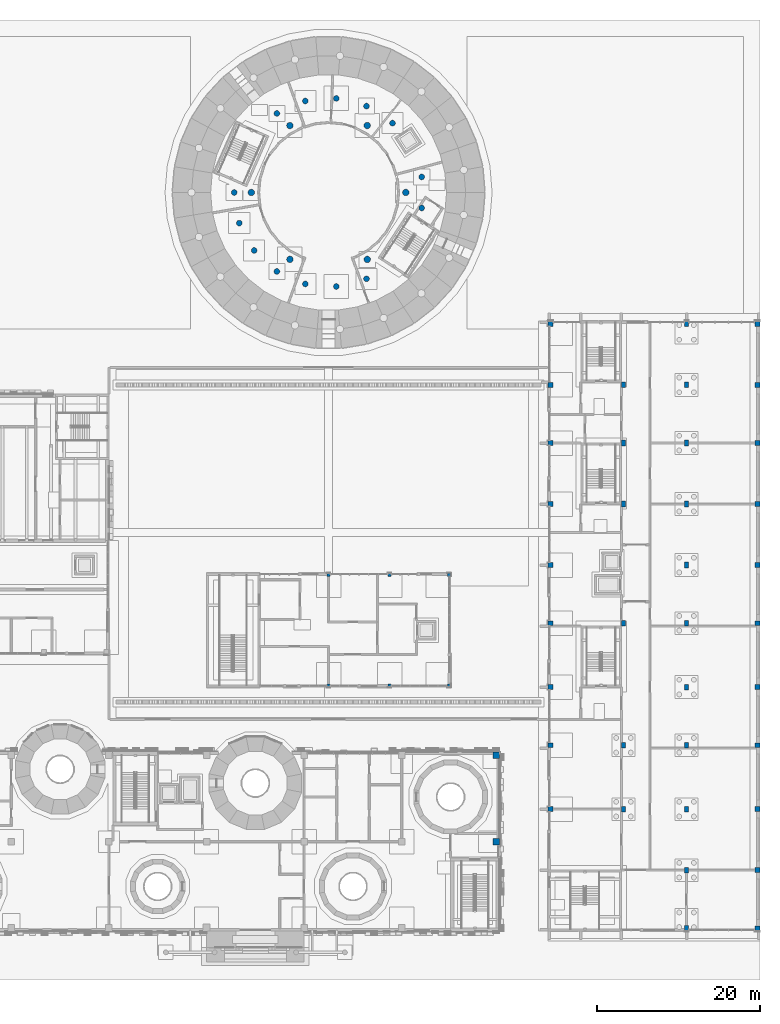
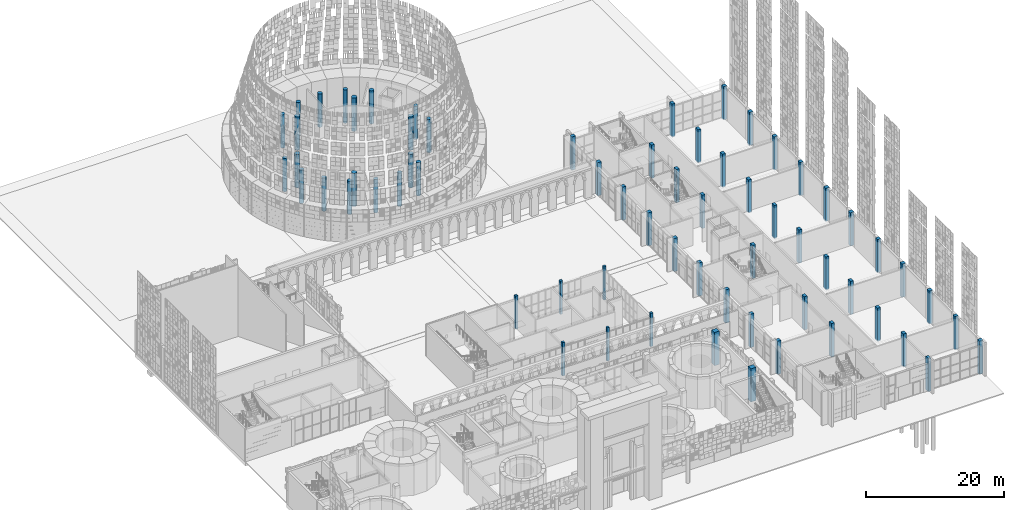
# One storey, part 3 of 125: 65 columns.
"""IFC4 building model written with IfcOpenShell, lengths in metres."""

from ifc_helpers import new_model, si_unit, direction, frame, origin, origin_2d, place, context, subcontext, project, spatial, rectangle, circle, extrude, material, material_profile, profile_set, type_object, element, save


model = new_model("IFC4")

# Units and contexts
model_context = context("Model", 3, precision=1e-05, world=origin(), true_north=direction((0.0, 1.0)))
body_context = subcontext(model_context, "Body", "Model", "MODEL_VIEW")
ifc_project = project(units=[si_unit("LENGTHUNIT", "METRE"), si_unit("AREAUNIT", "SQUARE_METRE"), si_unit("VOLUMEUNIT", "CUBIC_METRE"), si_unit("PLANEANGLEUNIT", "RADIAN"), si_unit("MASSUNIT", "GRAM", prefix="KILO")], contexts=[model_context])

# Site, building, storey
site_placement = place(None, origin())
site = spatial("IfcSite", under=ifc_project, at=site_placement, CompositionType="ELEMENT")
building_placement = place(site_placement, origin())
building = spatial("IfcBuilding", under=site, at=building_placement, Name="Sun Court Science Centre", CompositionType="ELEMENT")
storey_placement = place(building_placement, origin())
storey = spatial("IfcBuildingStorey", under=building, at=storey_placement, Name="L00", CompositionType="ELEMENT", Elevation=0.0)

# Columns
ifc_material_1 = material(Name="Concrete C30/37", Category="concrete")
ifc_material_profile_1 = material_profile(ifc_material_1, rectangle(XDim=0.39990234375, YDim=0.39990234375, at=origin_2d()), Name="RC 400x400")
ifc_profile_set_1 = profile_set([ifc_material_profile_1], Name="Concrete C30/37")
column_type_1 = type_object("IfcColumnType", Name="RC column 400x400", PredefinedType="COLUMN", material=ifc_profile_set_1)
for number, where, z_axis, x_axis, name in (
    (1, (51.0, 36.199951171875, -0.199951171875), (0.0, 0.0, 1.0), (1.0, 0.0, 0.0), "Column 7G L00"),
    (2, (51.0, 49.800048828125, -0.199951171875), (0.0, 0.0, 1.0), (1.0, 0.0, 0.0), "Column 750 L00"),
    (3, (58.5, 36.199951171875, -0.199951171875), (0.0, 0.0, 1.0), (1.0, 0.0, 0.0), "Column 8G L00"),
    (4, (58.5, 49.800048828125, -0.199951171875), (0.0, 0.0, 1.0), (1.0, 0.0, 0.0), "Column 850 L00"),
    (5, (65.800048828125, 36.199951171875, -0.199951171875), (0.0, 0.0, 1.0), (1.0, 0.0, 0.0), "Column 10G L00"),
    (6, (65.800048828125, 49.800048828125, -0.199951171875), (0.0, 0.0, 1.0), (1.0, 0.0, 0.0), "Column 1050 L00"),
):
    element("IfcColumn", number, at=place(storey_placement, frame(where, z_axis=z_axis, x_axis=x_axis)), inside=storey, type_object=column_type_1, Name=name, PredefinedType="COLUMN", context=body_context, shape_type="SweptSolid", body=[
        extrude(rectangle(XDim=0.39990234375, YDim=0.39990234375, at=origin_2d()), origin(), (0.0, 0.0, 1.0), 5.89990234375),
    ])
ifc_material_2 = material(Name="Concrete C30/37", Category="concrete")
ifc_material_profile_2 = material_profile(ifc_material_2, rectangle(XDim=0.5, YDim=0.699951171875, at=origin_2d()), Name="RC 500x700")
ifc_profile_set_2 = profile_set([ifc_material_profile_2], Name="Concrete C30/37")
column_type_2 = type_object("IfcColumnType", Name="RC column 500x700", PredefinedType="COLUMN", material=ifc_profile_set_2)
for number, where, z_axis, x_axis, name in (
    (7, (87.25, 21.0, -0.199951171875), (0.0, 0.0, 1.0), (1.0, 0.0, 0.0), "Column 14D L00"),
    (8, (87.25, 28.85009765625, -0.199951171875), (0.0, 0.0, 1.0), (1.0, 0.0, 0.0), "Column 14F L00"),
    (9, (87.25, 43.85009765625, -0.199951171875), (0.0, 0.0, 1.0), (1.0, 0.0, 0.0), "Column 14J L00"),
    (10, (87.25, 58.5, -0.199951171875), (0.0, 0.0, 1.0), (1.0, 0.0, 0.0), "Column 14P L00"),
    (11, (87.25, 66.0, -0.199951171875), (0.0, 0.0, 1.0), (1.0, 0.0, 0.0), "Column 14R L00"),
    (12, (87.25, 73.14990234375, -0.199951171875), (0.0, 0.0, 1.0), (1.0, 0.0, 0.0), "Column 14U L00"),
    (13, (95.0, 6.35009765625, -0.199951171875), (0.0, 0.0, 1.0), (1.0, 0.0, 0.0), "Column 15A L00"),
    (14, (95.0, 13.5, -0.199951171875), (0.0, 0.0, 1.0), (1.0, 0.0, 0.0), "Column 15B L00"),
    (15, (95.0, 21.0, -0.199951171875), (0.0, 0.0, 1.0), (1.0, 0.0, 0.0), "Column 15D L00"),
    (16, (95.0, 28.85009765625, -0.199951171875), (0.0, 0.0, 1.0), (1.0, 0.0, 0.0), "Column 15F L00"),
    (17, (95.0, 36.0, -0.199951171875), (0.0, 0.0, 1.0), (1.0, 0.0, 0.0), "Column 15G L00"),
    (18, (95.0, 43.85009765625, -0.199951171875), (0.0, 0.0, 1.0), (1.0, 0.0, 0.0), "Column 15J L00"),
    (19, (95.0, 51.0, -0.199951171875), (0.0, 0.0, 1.0), (1.0, 0.0, 0.0), "Column 15M L00"),
    (20, (95.0, 58.5, -0.199951171875), (0.0, 0.0, 1.0), (1.0, 0.0, 0.0), "Column 15P L00"),
    (21, (95.0, 66.0, -0.199951171875), (0.0, 0.0, 1.0), (1.0, 0.0, 0.0), "Column 15R L00"),
    (22, (95.0, 73.14990234375, -0.199951171875), (0.0, 0.0, 1.0), (1.0, 0.0, 0.0), "Column 15U L00"),
    (23, (95.0, 80.64990234375, -0.199951171875), (0.0, 0.0, 1.0), (1.0, 0.0, 0.0), "Column 15V L00"),
):
    element("IfcColumn", number, at=place(storey_placement, frame(where, z_axis=z_axis, x_axis=x_axis)), inside=storey, type_object=column_type_2, Name=name, PredefinedType="COLUMN", context=body_context, shape_type="SweptSolid", body=[
        extrude(rectangle(XDim=0.5, YDim=0.699951171875, at=origin_2d()), origin(), (0.0, 0.0, 1.0), 5.89990234375),
    ])
ifc_material_3 = material(Name="Concrete C30/37", Category="concrete")
ifc_material_profile_3 = material_profile(ifc_material_3, rectangle(XDim=0.60009765625, YDim=0.60009765625, at=origin_2d()), Name="RC 600x600")
ifc_profile_set_3 = profile_set([ifc_material_profile_3], Name="Concrete C30/37")
column_type_3 = type_object("IfcColumnType", Name="RC column 600x600", PredefinedType="COLUMN", material=ifc_profile_set_3)
for number, where, z_axis, x_axis, name in (
    (24, (78.300048828125, 21.0, -0.199951171875), (0.0, 0.0, 1.0), (1.0, 0.0, 0.0), "Column 12D L00"),
    (25, (78.300048828125, 28.85009765625, -0.199951171875), (0.0, 0.0, 1.0), (1.0, 0.0, 0.0), "Column 12F L00"),
    (26, (78.300048828125, 36.0, -0.199951171875), (0.0, 0.0, 1.0), (1.0, 0.0, 0.0), "Column 12G L00"),
    (27, (78.300048828125, 43.85009765625, -0.199951171875), (0.0, 0.0, 1.0), (1.0, 0.0, 0.0), "Column 12J L00"),
    (28, (78.300048828125, 51.0, -0.199951171875), (0.0, 0.0, 1.0), (1.0, 0.0, 0.0), "Column 12M L00"),
    (29, (78.300048828125, 58.5, -0.199951171875), (0.0, 0.0, 1.0), (1.0, 0.0, 0.0), "Column 12P L00"),
    (30, (78.300048828125, 66.0, -0.199951171875), (0.0, 0.0, 1.0), (1.0, 0.0, 0.0), "Column 12R L00"),
    (31, (78.300048828125, 73.14990234375, -0.199951171875), (0.0, 0.0, 1.0), (1.0, 0.0, 0.0), "Column 12U L00"),
    (32, (78.300048828125, 80.64990234375, -0.199951171875), (0.0, 0.0, 1.0), (1.0, 0.0, 0.0), "Column 12V L00"),
    (33, (103.699951171875, 6.35009765625, -0.199951171875), (0.0, 0.0, 1.0), (1.0, 0.0, 0.0), "Column 16A L00"),
    (34, (103.699951171875, 13.5, -0.199951171875), (0.0, 0.0, 1.0), (1.0, 0.0, 0.0), "Column 16B L00"),
    (35, (103.699951171875, 21.0, -0.199951171875), (0.0, 0.0, 1.0), (1.0, 0.0, 0.0), "Column 16D L00"),
    (36, (103.699951171875, 28.85009765625, -0.199951171875), (0.0, 0.0, 1.0), (1.0, 0.0, 0.0), "Column 16F L00"),
    (37, (103.699951171875, 36.0, -0.199951171875), (0.0, 0.0, 1.0), (1.0, 0.0, 0.0), "Column 16G L00"),
    (38, (103.699951171875, 43.85009765625, -0.199951171875), (0.0, 0.0, 1.0), (1.0, 0.0, 0.0), "Column 16J L00"),
    (39, (103.699951171875, 51.0, -0.199951171875), (0.0, 0.0, 1.0), (1.0, 0.0, 0.0), "Column 16M L00"),
    (40, (103.699951171875, 58.5, -0.199951171875), (0.0, 0.0, 1.0), (1.0, 0.0, 0.0), "Column 16P L00"),
    (41, (103.699951171875, 66.0, -0.199951171875), (0.0, 0.0, 1.0), (1.0, 0.0, 0.0), "Column 16R L00"),
    (42, (103.699951171875, 73.14990234375, -0.199951171875), (0.0, 0.0, 1.0), (1.0, 0.0, 0.0), "Column 16U L00"),
    (43, (103.699951171875, 80.64990234375, -0.199951171875), (0.0, 0.0, 1.0), (1.0, 0.0, 0.0), "Column 16V L00"),
):
    element("IfcColumn", number, at=place(storey_placement, frame(where, z_axis=z_axis, x_axis=x_axis)), inside=storey, type_object=column_type_3, Name=name, PredefinedType="COLUMN", context=body_context, shape_type="SweptSolid", body=[
        extrude(rectangle(XDim=0.60009765625, YDim=0.60009765625, at=origin_2d()), origin(), (0.0, 0.0, 1.0), 5.89990234375),
    ])
ifc_material_4 = material(Name="Concrete C30/37", Category="concrete")
ifc_material_profile_4 = material_profile(ifc_material_4, rectangle(XDim=0.800048828125, YDim=0.800048828125, at=origin_2d()), Name="RC 800x800")
ifc_profile_set_4 = profile_set([ifc_material_profile_4], Name="Concrete C30/37")
column_type_4 = type_object("IfcColumnType", Name="RC column 800x800", PredefinedType="COLUMN", material=ifc_profile_set_4)
for number, where, z_axis, x_axis, name in (
    (44, (71.60009765625, 17.0, -0.199951171875), (0.0, 0.0, 1.0), (1.0, 0.0, 0.0), "Column 11C L00"),
    (45, (71.60009765625, 27.60009765625, -0.199951171875), (0.0, 0.0, 1.0), (1.0, 0.0, 0.0), "Column 11E L00"),
):
    element("IfcColumn", number, at=place(storey_placement, frame(where, z_axis=z_axis, x_axis=x_axis)), inside=storey, type_object=column_type_4, Name=name, PredefinedType="COLUMN", context=body_context, shape_type="SweptSolid", body=[
        extrude(rectangle(XDim=0.800048828125, YDim=0.800048828125, at=origin_2d()), origin(), (0.0, 0.0, 1.0), 5.89990234375),
    ])
ifc_material_5 = material(Name="Concrete C30/37", Category="concrete")
ifc_material_profile_5 = material_profile(ifc_material_5, circle(Radius=0.35009765625, at=origin_2d()), Name="RC D700")
ifc_profile_set_5 = profile_set([ifc_material_profile_5], Name="Concrete C30/37")
column_type_5 = type_object("IfcColumnType", Name="RC column D700", PredefinedType="COLUMN", material=ifc_profile_set_5)
for number, where, z_axis, x_axis, name in (
    (46, (62.44189453125, 98.709228515625, -0.199951171875), (0.0, 0.0, 1.0), (1.0, 0.0, 0.0), "Column B01 L00"),
    (47, (58.8564453125, 105.33447265625, -0.199951171875), (0.0, 0.0, 1.0), (1.0, 0.0, 0.0), "Column B03 L00"),
    (48, (55.65966796875, 107.4228515625, -0.199951171875), (0.0, 0.0, 1.0), (1.0, 0.0, 0.0), "Column B04 L00"),
    (49, (51.9580078125, 108.3603515625, -0.199951171875), (0.0, 0.0, 1.0), (1.0, 0.0, 0.0), "Column B05 L00"),
    (50, (48.15234375, 108.044921875, -0.199951171875), (0.0, 0.0, 1.0), (1.0, 0.0, 0.0), "Column B06 L00"),
    (51, (44.655517578125, 106.51123046875, -0.199951171875), (0.0, 0.0, 1.0), (1.0, 0.0, 0.0), "Column B07 L00"),
    (52, (39.39990234375, 96.800048828125, -0.199951171875), (0.0, 0.0, 1.0), (1.0, 0.0, 0.0), "Column B10 L00"),
    (53, (40.028564453125, 93.033447265625, -0.199951171875), (0.0, 0.0, 1.0), (1.0, 0.0, 0.0), "Column B11 L00"),
    (54, (41.845947265625, 89.675048828125, -0.199951171875), (0.0, 0.0, 1.0), (1.0, 0.0, 0.0), "Column B12 L00"),
    (55, (44.655517578125, 87.0888671875, -0.199951171875), (0.0, 0.0, 1.0), (1.0, 0.0, 0.0), "Column B13 L00"),
    (56, (48.15234375, 85.554931640625, -0.199951171875), (0.0, 0.0, 1.0), (1.0, 0.0, 0.0), "Column B14 L00"),
    (57, (51.9580078125, 85.239501953125, -0.199951171875), (0.0, 0.0, 1.0), (1.0, 0.0, 0.0), "Column B15 L00"),
    (58, (55.65966796875, 86.177001953125, -0.199951171875), (0.0, 0.0, 1.0), (1.0, 0.0, 0.0), "Column B16 L00"),
    (59, (62.44189453125, 94.890625, -0.199951171875), (0.0, 0.0, 1.0), (1.0, 0.0, 0.0), "Column B19 L00"),
):
    element("IfcColumn", number, at=place(storey_placement, frame(where, z_axis=z_axis, x_axis=x_axis)), inside=storey, type_object=column_type_5, Name=name, PredefinedType="COLUMN", context=body_context, shape_type="SweptSolid", body=[
        extrude(circle(Radius=0.35009765625, at=origin_2d()), origin(), (0.0, 0.0, 1.0), 5.89990234375),
    ])
ifc_material_6 = material(Name="Concrete C30/37", Category="concrete")
ifc_material_profile_6 = material_profile(ifc_material_6, circle(Radius=0.39990234375, at=origin_2d()), Name="RC D800")
ifc_profile_set_6 = profile_set([ifc_material_profile_6], Name="Concrete C30/37")
column_type_6 = type_object("IfcColumnType", Name="RC column D800", PredefinedType="COLUMN", material=ifc_profile_set_6)
for number, where, z_axis, x_axis, name in (
    (60, (60.5, 96.800048828125, -0.199951171875), (0.0, 0.0, 1.0), (1.0, 0.0, 0.0), "Column A1 L00"),
    (61, (55.75, 105.02734375, -0.199951171875), (0.0, 0.0, 1.0), (1.0, 0.0, 0.0), "Column A2 L00"),
    (62, (46.25, 105.02734375, -0.199951171875), (0.0, 0.0, 1.0), (1.0, 0.0, 0.0), "Column A3 L00"),
    (63, (41.5, 96.800048828125, -0.199951171875), (0.0, 0.0, 1.0), (1.0, 0.0, 0.0), "Column A4 L00"),
    (64, (46.25, 88.57275390625, -0.199951171875), (0.0, 0.0, 1.0), (1.0, 0.0, 0.0), "Column A5 L00"),
    (65, (55.75, 88.57275390625, -0.199951171875), (0.0, 0.0, 1.0), (1.0, 0.0, 0.0), "Column A6 L00"),
):
    element("IfcColumn", number, at=place(storey_placement, frame(where, z_axis=z_axis, x_axis=x_axis)), inside=storey, type_object=column_type_6, Name=name, PredefinedType="COLUMN", context=body_context, shape_type="SweptSolid", body=[
        extrude(circle(Radius=0.39990234375, at=origin_2d()), origin(), (0.0, 0.0, 1.0), 5.89990234375),
    ])

save(model, "model.ifc")
